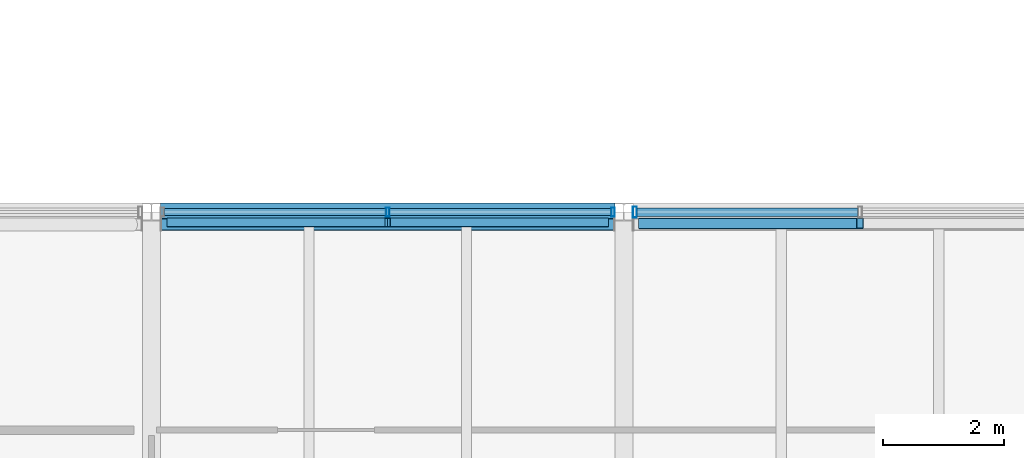
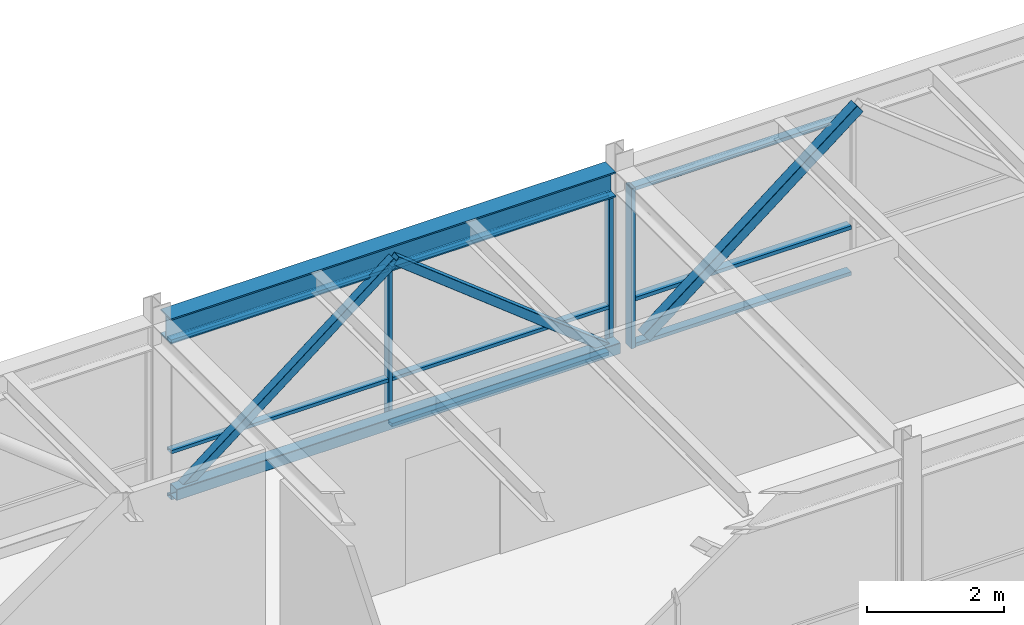
# One storey, part 18 of 49: 16 members, 1 beam, 2 elements without a shape of their own.
"""IFC4 building model written with IfcOpenShell, lengths in metres."""

import ifcopenshell
import ifcopenshell.guid

model = None  # the IFC model being written
_history = None  # IfcOwnerHistory: only IFC2X3 demands one
_inside = {}  # id of a spatial element -> (the spatial element, [elements in it])
_under = {}  # id of a project, library or spatial element -> (it, [spatial elements below it])
_declared = {}  # id of a project -> (the project, [libraries it declares])
_typed = {}  # id of a type object -> (the type object, [elements of that type])
_made_of = {}  # id of a material, layer set ... -> (it, [elements and type objects made of it])


def new_model(schema):
    """Start an empty IFC model of exactly this schema.

    Asked for "IFC4X3", IfcOpenShell would pick the latest addendum, in which some entities
    have other attributes; the version numbers below select the first issue.
    IFC2X3 requires an IfcOwnerHistory on every rooted entity: one is made here for all.
    """
    global model, _history
    if schema == "IFC4X3":
        model = ifcopenshell.file(schema_version=(4, 3, 0, 0))
    else:
        model = ifcopenshell.file(schema=schema)
    _inside.clear()
    _under.clear()
    _declared.clear()
    _typed.clear()
    _made_of.clear()
    _history = None
    if model.schema == "IFC2X3":
        org = make("IfcOrganization", Name="unknown")
        user = make(
            "IfcPersonAndOrganization",
            ThePerson=make("IfcPerson", FamilyName="unknown"),
            TheOrganization=org,
        )
        app = make(
            "IfcApplication",
            ApplicationDeveloper=org,
            Version="unknown",
            ApplicationFullName="unknown",
            ApplicationIdentifier="unknown",
        )
        _history = make(
            "IfcOwnerHistory",
            OwningUser=user,
            OwningApplication=app,
            ChangeAction="ADDED",
            CreationDate=0,
        )
    return model


def make(cls, **values):
    """One entity of the class cls with the attributes given. An attribute that is None is left unset."""
    return model.create_entity(
        cls, **{name: value for name, value in values.items() if value is not None}
    )


def rooted(cls, **values):
    """An entity with a GlobalId (a new one), such as an element, a storey or a relation."""
    return make(cls, GlobalId=ifcopenshell.guid.new(), OwnerHistory=_history, **values)


def si_unit(unit_type, name, prefix=None):
    """IfcSIUnit, for example si_unit("LENGTHUNIT", "METRE", prefix="MILLI")."""
    return make("IfcSIUnit", UnitType=unit_type, Prefix=prefix, Name=name)


def assignment(units):
    """IfcUnitAssignment: the units of a project."""
    return None if units is None else make("IfcUnitAssignment", Units=units)


def point(xyz):
    """IfcCartesianPoint."""
    return None if xyz is None else make("IfcCartesianPoint", Coordinates=xyz)


def direction(xyz):
    """IfcDirection."""
    return None if xyz is None else make("IfcDirection", DirectionRatios=xyz)


def frame(location, z_axis=None, x_axis=None):
    """IfcAxis2Placement3D, a coordinate frame: its origin and axes. An axis left out is left unset."""
    return make(
        "IfcAxis2Placement3D",
        Location=point(location),
        Axis=direction(z_axis),
        RefDirection=direction(x_axis),
    )


def frame_2d(location, x_axis=None):
    """IfcAxis2Placement2D, a coordinate frame in the plane: its origin and x axis."""
    return make(
        "IfcAxis2Placement2D", Location=point(location), RefDirection=direction(x_axis)
    )


def origin():
    """The frame at (0, 0, 0) with its axes left unset."""
    return frame((0.0, 0.0, 0.0))


def origin_2d():
    """The frame at (0, 0) in the plane with its x axis left unset."""
    return frame_2d((0.0, 0.0))


def place(relative_to, where):
    """IfcLocalPlacement: puts the frame where relative to a parent placement (None: the world)."""
    return make(
        "IfcLocalPlacement", PlacementRelTo=relative_to, RelativePlacement=where
    )


def context(
    kind, dimensions, precision=None, world=None, true_north=None, identifier=None
):
    """IfcGeometricRepresentationContext, for example the 3D "Model" context."""
    return make(
        "IfcGeometricRepresentationContext",
        ContextIdentifier=identifier,
        ContextType=kind,
        CoordinateSpaceDimension=dimensions,
        Precision=precision,
        WorldCoordinateSystem=world,
        TrueNorth=true_north,
    )


def subcontext(parent, identifier, kind, view, scale=None):
    """IfcGeometricRepresentationSubContext, for example "Body" below "Model"."""
    return make(
        "IfcGeometricRepresentationSubContext",
        ContextIdentifier=identifier,
        ContextType=kind,
        ParentContext=parent,
        TargetScale=scale,
        TargetView=view,
    )


def project(units=None, contexts=None):
    """IfcProject with its units and contexts."""
    return rooted(
        "IfcProject",
        Name="project",
        RepresentationContexts=contexts,
        UnitsInContext=assignment(units),
    )


def spatial(cls, under=None, at=None, **own):
    """A site, building, storey or space (cls), placed at a placement, below another one or the project."""
    s = rooted(cls, ObjectPlacement=at, **own)
    if under is not None:
        _under.setdefault(under.id(), (under, []))[1].append(s)
    return s


def profile(cls, at=None, kind="AREA", **sizes):
    """A parametric profile (cls). Its sizes go by their IFC names, for example OverallWidth=200.0."""
    return make(cls, ProfileType=kind, Position=at, **sizes)


def hollow_rectangle(**sizes):
    """IfcRectangleHollowProfileDef."""
    return profile("IfcRectangleHollowProfileDef", **sizes)


def i_section(**sizes):
    """IfcIShapeProfileDef."""
    return profile("IfcIShapeProfileDef", **sizes)


def extrude(swept, where, along, depth):
    """IfcExtrudedAreaSolid: the profile swept, set in the frame where, extruded along a direction by depth."""
    return make(
        "IfcExtrudedAreaSolid",
        SweptArea=swept,
        Position=where,
        ExtrudedDirection=direction(along),
        Depth=depth,
    )


def shape(context_of_items, identifier, shape_type, items):
    """IfcShapeRepresentation: the items that make up one representation, for example the "Body"."""
    return make(
        "IfcShapeRepresentation",
        ContextOfItems=context_of_items,
        RepresentationIdentifier=identifier,
        RepresentationType=shape_type,
        Items=items,
    )


def material(Name=None, Category=None):
    """IfcMaterial."""
    return make("IfcMaterial", Name=Name, Category=Category)


def material_profile(
    of_material, cross_section, Name=None, Category=None, Priority=None
):
    """IfcMaterialProfile: a cross section and its material."""
    return make(
        "IfcMaterialProfile",
        Name=Name,
        Material=of_material,
        Profile=cross_section,
        Priority=Priority,
        Category=Category,
    )


def profile_set(profiles, Name=None, composite=None):
    """IfcMaterialProfileSet."""
    return make(
        "IfcMaterialProfileSet",
        Name=Name,
        MaterialProfiles=profiles,
        CompositeProfile=composite,
    )


def made_of(thing, what):
    """Note that an element or type object is made of a material, layer set ...; save() writes the relation."""
    if what is not None:
        _made_of.setdefault(what.id(), (what, []))[1].append(thing)
    return thing


def type_object(cls, material=None, **own):
    """A type object (cls), such as IfcWallType, which elements share."""
    return made_of(rooted(cls, **own), material)


def element(
    cls,
    number,
    at=None,
    inside=None,
    cuts=None,
    type_object=None,
    material=None,
    context=None,
    identifier="Body",
    shape_type=None,
    held_by="IfcProductDefinitionShape",
    body=None,
    shapes=None,
    **own,
):
    """One element of the class cls, such as IfcWall. Its Tag is "e" and its number.

    at: its placement. inside: the storey or other place that contains it. cuts: it is an
    opening in that element (IfcRelVoidsElement). A single representation is given by context,
    identifier, shape_type and body (its items); several are given by shapes. held_by: the class
    of the entity that holds the representations. save() writes the other relations.
    """
    e = rooted(cls, Tag="e%d" % number, ObjectPlacement=at, **own)
    if body is not None:
        shapes = [shape(context, identifier, shape_type, body)]
    if shapes is not None:
        e.Representation = make(held_by, Representations=shapes)
    if inside is not None:
        _inside.setdefault(inside.id(), (inside, []))[1].append(e)
    if cuts is not None:
        rooted(
            "IfcRelVoidsElement", RelatingBuildingElement=cuts, RelatedOpeningElement=e
        )
    if type_object is not None:
        _typed.setdefault(type_object.id(), (type_object, []))[1].append(e)
    return made_of(e, material)


def aggregate(whole, parts):
    """IfcRelAggregates: a whole, such as a stair, and the parts it consists of."""
    return rooted("IfcRelAggregates", RelatingObject=whole, RelatedObjects=parts)


def save(model, path):
    """Write the relations noted so far, then the file.

    IfcRelAggregates (storeys below a building ...), IfcRelContainedInSpatialStructure (elements
    in a storey), IfcRelDefinesByType, IfcRelAssociatesMaterial and IfcRelDeclares: one each for
    every whole, place, type object, material and project.
    """
    for whole, parts in _under.values():
        aggregate(whole, parts)
    for where, things in _inside.values():
        rooted(
            "IfcRelContainedInSpatialStructure",
            RelatedElements=things,
            RelatingStructure=where,
        )
    for kind, things in _typed.values():
        rooted("IfcRelDefinesByType", RelatedObjects=things, RelatingType=kind)
    for what, things in _made_of.values():
        rooted("IfcRelAssociatesMaterial", RelatedObjects=things, RelatingMaterial=what)
    for by, libraries in _declared.values():
        rooted("IfcRelDeclares", RelatingContext=by, RelatedDefinitions=libraries)
    model.write(path)


model = new_model("IFC4")

# Units and contexts
model_context = context("Model", 3, precision=1e-05, world=origin(), true_north=direction((0.0, 1.0)))
body_context = subcontext(model_context, "Body", "Model", "MODEL_VIEW")
ifc_project = project(units=[si_unit("LENGTHUNIT", "METRE"), si_unit("AREAUNIT", "SQUARE_METRE"), si_unit("VOLUMEUNIT", "CUBIC_METRE"), si_unit("PLANEANGLEUNIT", "RADIAN"), si_unit("MASSUNIT", "GRAM", prefix="KILO"), si_unit("THERMODYNAMICTEMPERATUREUNIT", "KELVIN"), si_unit("POWERUNIT", "WATT")], contexts=[model_context])

# Site, building, storey
site_placement = place(None, origin())
site = spatial("IfcSite", under=ifc_project, at=site_placement, CompositionType="ELEMENT")
building_placement = place(site_placement, origin())
building = spatial("IfcBuilding", under=site, at=building_placement, Name="Srebrne Nadtorze General Hospital", CompositionType="ELEMENT")
storey_placement = place(building_placement, frame((0.0, 0.0, 26.10009765625)))
storey = spatial("IfcBuildingStorey", under=building, at=storey_placement, Name="L06", CompositionType="ELEMENT", Elevation=26.10009765625)

# Beam
ifc_material_1 = material(Name="Steel S355J2", Category="steel")
ifc_material_profile_1 = material_profile(ifc_material_1, i_section(OverallWidth=0.300048828125, OverallDepth=0.449951171875, WebThickness=0.013916015625, FlangeThickness=0.02587890625, FilletRadius=0.027099609375, at=origin_2d()), Name="HEB-450")
ifc_profile_set_1 = profile_set([ifc_material_profile_1], Name="Steel S355J2")
beam_type = type_object("IfcBeamType", Name="Courtyard bridge girder HEB 450", PredefinedType="BEAM", material=ifc_profile_set_1)
beam_placement = place(storey_placement, frame((70.35009765625, 58.800048828125, 3.074951171875), z_axis=(1.0, 0.0, 0.0), x_axis=(0.0, 1.0, 0.0)))
element("IfcBeam", 1, at=beam_placement, inside=storey, type_object=beam_type, Name="Beam BM-L06-X-1168", PredefinedType="BEAM", context=body_context, shape_type="SweptSolid", body=[
    extrude(i_section(OverallWidth=0.300048828125, OverallDepth=0.449951171875, WebThickness=0.013916015625, FlangeThickness=0.02587890625, FilletRadius=0.027099609375, at=origin_2d()), origin(), (0.0, 0.0, 1.0), 7.5),
])

# Curtain wall, members
ifc_material_2 = material(Name="Anodised Aluminium", Category="aluminium")
curtain_wall_type = type_object("IfcCurtainWallType", Name="Bridge curtain wall 7500x2850", PredefinedType="NOTDEFINED", material=ifc_material_2)
curtain_wall_1_placement = place(storey_placement, origin())
curtain_wall_1 = element("IfcCurtainWall", 2, at=curtain_wall_1_placement, inside=storey, type_object=curtain_wall_type, Name="Curtain wall CW-146", PredefinedType="NOTDEFINED")
ifc_material_3 = material(Name="Anodised Aluminium", Category="aluminium")
ifc_material_profile_2 = material_profile(ifc_material_3, hollow_rectangle(XDim=0.06005859375, YDim=0.14990234375, WallThickness=0.00390625, at=origin_2d()), Name="AL-MUL-60x150")
ifc_profile_set_2 = profile_set([ifc_material_profile_2], Name="Anodised Aluminium")
member_type_1 = type_object("IfcMemberType", Name="Curtain mullion 60x150", PredefinedType="MULLION", material=ifc_profile_set_2)
member_1_placement = place(storey_placement, frame((74.10009765625, 58.800048828125, 0.0), z_axis=(0.0, 0.0, 1.0), x_axis=(1.0, 0.0, 0.0)))
member_1 = element("IfcMember", 3, at=member_1_placement, type_object=member_type_1, Name="CW-146 mullion 2", PredefinedType="MULLION", context=body_context, shape_type="SweptSolid", body=[
    extrude(hollow_rectangle(XDim=0.06005859375, YDim=0.14990234375, WallThickness=0.00390625, at=origin_2d()), origin(), (0.0, 0.0, 1.0), 2.849853515625),
])
member_2_placement = place(storey_placement, frame((77.820068359375, 58.800048828125, 0.0), z_axis=(0.0, 0.0, 1.0), x_axis=(1.0, 0.0, 0.0)))
member_2 = element("IfcMember", 4, at=member_2_placement, type_object=member_type_1, Name="CW-146 mullion 3", PredefinedType="MULLION", context=body_context, shape_type="SweptSolid", body=[
    extrude(hollow_rectangle(XDim=0.06005859375, YDim=0.14990234375, WallThickness=0.00390625, at=origin_2d()), origin(), (0.0, 0.0, 1.0), 2.849853515625),
])

# Curtain wall, member
curtain_wall_2_placement = place(storey_placement, origin())
curtain_wall_2 = element("IfcCurtainWall", 5, at=curtain_wall_2_placement, inside=storey, type_object=curtain_wall_type, Name="Curtain wall CW-147", PredefinedType="NOTDEFINED")
ifc_material_4 = material(Name="Anodised Aluminium", Category="aluminium")
ifc_material_profile_3 = material_profile(ifc_material_4, hollow_rectangle(XDim=0.06494140625, YDim=0.179931640625, WallThickness=0.00390625, at=origin_2d()), Name="AL-MUL-65x180")
ifc_profile_set_3 = profile_set([ifc_material_profile_3], Name="Anodised Aluminium")
member_type_2 = type_object("IfcMemberType", Name="Curtain mullion 65x180", PredefinedType="MULLION", material=ifc_profile_set_3)
member_3_placement = place(storey_placement, frame((78.1826171875, 58.800048828125, 0.0), z_axis=(0.0, 0.0, 1.0), x_axis=(1.0, 0.0, 0.0)))
member_3 = element("IfcMember", 6, at=member_3_placement, type_object=member_type_2, Name="CW-147 mullion 1", PredefinedType="MULLION", context=body_context, shape_type="SweptSolid", body=[
    extrude(hollow_rectangle(XDim=0.06494140625, YDim=0.179931640625, WallThickness=0.00390625, at=origin_2d()), origin(), (0.0, 0.0, 1.0), 2.849853515625),
])

# Member
ifc_material_5 = material(Name="Anodised Aluminium", Category="aluminium")
ifc_material_profile_4 = material_profile(ifc_material_5, hollow_rectangle(XDim=0.06005859375, YDim=0.1201171875, WallThickness=0.00390625, at=origin_2d()), Name="AL-TRN-60x120")
ifc_profile_set_4 = profile_set([ifc_material_profile_4], Name="Anodised Aluminium")
member_type_3 = type_object("IfcMemberType", Name="Curtain transom 60x120", PredefinedType="USERDEFINED", material=ifc_profile_set_4)
member_4_placement = place(storey_placement, frame((70.409912109375, 58.800048828125, 0.02978515625), z_axis=(1.0, 0.0, 0.0), x_axis=(0.0, 0.0, 1.0)))
member_4 = element("IfcMember", 7, at=member_4_placement, type_object=member_type_3, Name="CW-146 transom 1.1", ObjectType="TRANSOM", PredefinedType="USERDEFINED", context=body_context, shape_type="SweptSolid", body=[
    extrude(hollow_rectangle(XDim=0.06005859375, YDim=0.1201171875, WallThickness=0.00390625, at=origin_2d()), origin(), (0.0, 0.0, 1.0), 3.66015625),
])

member_5_placement = place(storey_placement, frame((70.409912109375, 58.800048828125, 0.849853515625), z_axis=(1.0, 0.0, 0.0), x_axis=(0.0, 0.0, 1.0)))
member_5 = element("IfcMember", 8, at=member_5_placement, type_object=member_type_3, Name="CW-146 transom 1.2", ObjectType="TRANSOM", PredefinedType="USERDEFINED", context=body_context, shape_type="SweptSolid", body=[
    extrude(hollow_rectangle(XDim=0.06005859375, YDim=0.1201171875, WallThickness=0.00390625, at=origin_2d()), origin(), (0.0, 0.0, 1.0), 3.66015625),
])

member_6_placement = place(storey_placement, frame((70.409912109375, 58.800048828125, 2.81982421875), z_axis=(1.0, 0.0, 0.0), x_axis=(0.0, 0.0, 1.0)))
member_6 = element("IfcMember", 9, at=member_6_placement, type_object=member_type_3, Name="CW-146 transom 1.3", ObjectType="TRANSOM", PredefinedType="USERDEFINED", context=body_context, shape_type="SweptSolid", body=[
    extrude(hollow_rectangle(XDim=0.06005859375, YDim=0.1201171875, WallThickness=0.00390625, at=origin_2d()), origin(), (0.0, 0.0, 1.0), 3.66015625),
])

member_7_placement = place(storey_placement, frame((74.1298828125, 58.800048828125, 0.02978515625), z_axis=(1.0, 0.0, 0.0), x_axis=(0.0, 0.0, 1.0)))
member_7 = element("IfcMember", 10, at=member_7_placement, type_object=member_type_3, Name="CW-146 transom 2.1", ObjectType="TRANSOM", PredefinedType="USERDEFINED", context=body_context, shape_type="SweptSolid", body=[
    extrude(hollow_rectangle(XDim=0.06005859375, YDim=0.1201171875, WallThickness=0.00390625, at=origin_2d()), origin(), (0.0, 0.0, 1.0), 3.66015625),
])

member_8_placement = place(storey_placement, frame((74.1298828125, 58.800048828125, 0.849853515625), z_axis=(1.0, 0.0, 0.0), x_axis=(0.0, 0.0, 1.0)))
member_8 = element("IfcMember", 11, at=member_8_placement, type_object=member_type_3, Name="CW-146 transom 2.2", ObjectType="TRANSOM", PredefinedType="USERDEFINED", context=body_context, shape_type="SweptSolid", body=[
    extrude(hollow_rectangle(XDim=0.06005859375, YDim=0.1201171875, WallThickness=0.00390625, at=origin_2d()), origin(), (0.0, 0.0, 1.0), 3.66015625),
])

member_9_placement = place(storey_placement, frame((74.1298828125, 58.800048828125, 2.81982421875), z_axis=(1.0, 0.0, 0.0), x_axis=(0.0, 0.0, 1.0)))
member_9 = element("IfcMember", 12, at=member_9_placement, type_object=member_type_3, Name="CW-146 transom 2.3", ObjectType="TRANSOM", PredefinedType="USERDEFINED", context=body_context, shape_type="SweptSolid", body=[
    extrude(hollow_rectangle(XDim=0.06005859375, YDim=0.1201171875, WallThickness=0.00390625, at=origin_2d()), origin(), (0.0, 0.0, 1.0), 3.66015625),
])

aggregate(curtain_wall_1, [member_1, member_2, member_4, member_5, member_6, member_7, member_8, member_9])

ifc_material_6 = material(Name="Anodised Aluminium", Category="aluminium")
ifc_material_profile_5 = material_profile(ifc_material_6, hollow_rectangle(XDim=0.06494140625, YDim=0.139892578125, WallThickness=0.00390625, at=origin_2d()), Name="AL-TRN-65x140")
ifc_profile_set_5 = profile_set([ifc_material_profile_5], Name="Anodised Aluminium")
member_type_4 = type_object("IfcMemberType", Name="Curtain transom 65x140", PredefinedType="USERDEFINED", material=ifc_profile_set_5)
member_10_placement = place(storey_placement, frame((78.215087890625, 58.800048828125, 0.032470703125), z_axis=(1.0, 0.0, 0.0), x_axis=(0.0, 0.0, 1.0)))
member_10 = element("IfcMember", 13, at=member_10_placement, type_object=member_type_4, Name="CW-147 transom 1.1", ObjectType="TRANSOM", PredefinedType="USERDEFINED", context=body_context, shape_type="SweptSolid", body=[
    extrude(hollow_rectangle(XDim=0.06494140625, YDim=0.139892578125, WallThickness=0.00390625, at=origin_2d()), origin(), (0.0, 0.0, 1.0), 3.65234375),
])

member_11_placement = place(storey_placement, frame((78.215087890625, 58.800048828125, 0.849853515625), z_axis=(1.0, 0.0, 0.0), x_axis=(0.0, 0.0, 1.0)))
member_11 = element("IfcMember", 14, at=member_11_placement, type_object=member_type_4, Name="CW-147 transom 1.2", ObjectType="TRANSOM", PredefinedType="USERDEFINED", context=body_context, shape_type="SweptSolid", body=[
    extrude(hollow_rectangle(XDim=0.06494140625, YDim=0.139892578125, WallThickness=0.00390625, at=origin_2d()), origin(), (0.0, 0.0, 1.0), 3.65234375),
])

member_12_placement = place(storey_placement, frame((78.215087890625, 58.800048828125, 2.8173828125), z_axis=(1.0, 0.0, 0.0), x_axis=(0.0, 0.0, 1.0)))
member_12 = element("IfcMember", 15, at=member_12_placement, type_object=member_type_4, Name="CW-147 transom 1.3", ObjectType="TRANSOM", PredefinedType="USERDEFINED", context=body_context, shape_type="SweptSolid", body=[
    extrude(hollow_rectangle(XDim=0.06494140625, YDim=0.139892578125, WallThickness=0.00390625, at=origin_2d()), origin(), (0.0, 0.0, 1.0), 3.65234375),
])

aggregate(curtain_wall_2, [member_3, member_10, member_11, member_12])

# Members
ifc_material_7 = material(Name="Steel S355J2", Category="steel")
ifc_material_profile_6 = material_profile(ifc_material_7, hollow_rectangle(XDim=0.179931640625, YDim=0.179931640625, WallThickness=0.008056640625, InnerFilletRadius=0.008056640625, OuterFilletRadius=0.011962890625, at=origin_2d()), Name="SHS-180x180x8")
ifc_profile_set_6 = profile_set([ifc_material_profile_6], Name="Steel S355J2")
member_type_5 = type_object("IfcMemberType", Name="Diagonal brace SHS 180x180x8", PredefinedType="BRACE", material=ifc_profile_set_6)
member_13_placement = place(storey_placement, frame((78.300048828125, 58.614990234375, 0.25), z_axis=(0.786172155182, 0.0, 0.618007558543), x_axis=(0.0, 1.0, 0.0)))
element("IfcMember", 16, at=member_13_placement, inside=storey, type_object=member_type_5, Name="Clinical courtyard bridge brace 43", PredefinedType="BRACE", context=body_context, shape_type="SweptSolid", body=[
    extrude(hollow_rectangle(XDim=0.179931640625, YDim=0.179931640625, WallThickness=0.008056640625, InnerFilletRadius=0.008056640625, OuterFilletRadius=0.011962890625, at=origin_2d()), origin(), (0.0, 0.0, 1.0), 4.578857421875),
])
ifc_material_8 = material(Name="Steel S355J2", Category="steel")
ifc_material_profile_7 = material_profile(ifc_material_8, hollow_rectangle(XDim=0.199951171875, YDim=0.199951171875, WallThickness=0.010009765625, InnerFilletRadius=0.010009765625, OuterFilletRadius=0.014892578125, at=origin_2d()), Name="SHS-200x200x10")
ifc_profile_set_7 = profile_set([ifc_material_profile_7], Name="Steel S355J2")
member_type_6 = type_object("IfcMemberType", Name="Truss chord SHS 200x200x10", PredefinedType="CHORD", material=ifc_profile_set_7)
member_14_placement = place(storey_placement, frame((70.362060546875, 58.594970703125, 0.25), z_axis=(1.0, 0.0, 0.0), x_axis=(0.0, 1.0, 0.0)))
element("IfcMember", 17, at=member_14_placement, inside=storey, type_object=member_type_6, Name="Clinical courtyard bridge truss chord 21", PredefinedType="CHORD", context=body_context, shape_type="SweptSolid", body=[
    extrude(hollow_rectangle(XDim=0.199951171875, YDim=0.199951171875, WallThickness=0.010009765625, InnerFilletRadius=0.010009765625, OuterFilletRadius=0.014892578125, at=origin_2d()), origin(), (0.0, 0.0, 1.0), 7.475830078125),
])
ifc_material_9 = material(Name="Steel S355J2", Category="steel")
ifc_material_profile_8 = material_profile(ifc_material_9, hollow_rectangle(XDim=0.14990234375, YDim=0.14990234375, WallThickness=0.00634765625, InnerFilletRadius=0.006103515625, OuterFilletRadius=0.009033203125, at=origin_2d()), Name="SHS-150x150x6.3")
ifc_profile_set_8 = profile_set([ifc_material_profile_8], Name="Steel S355J2")
member_type_7 = type_object("IfcMemberType", Name="Wind brace SHS 150x150x6.3", PredefinedType="BRACE", material=ifc_profile_set_8)
member_15_placement = place(storey_placement, frame((70.5, 58.6298828125, 0.25), z_axis=(0.786192517778, 0.0, 0.61798165425), x_axis=(0.0, 1.0, 0.0)))
element("IfcMember", 18, at=member_15_placement, inside=storey, type_object=member_type_7, Name="Clinical courtyard bridge brace 41", PredefinedType="BRACE", context=body_context, shape_type="SweptSolid", body=[
    extrude(hollow_rectangle(XDim=0.14990234375, YDim=0.14990234375, WallThickness=0.00634765625, InnerFilletRadius=0.006103515625, OuterFilletRadius=0.009033203125, at=origin_2d()), origin(), (0.0, 0.0, 1.0), 4.5791015625),
])
member_16_placement = place(storey_placement, frame((77.699951171875, 58.6298828125, 0.25), z_axis=(-0.786172155182, 0.0, 0.618007558543), x_axis=(0.0, -1.0, 0.0)))
element("IfcMember", 19, at=member_16_placement, inside=storey, type_object=member_type_7, Name="Clinical courtyard bridge brace 42", PredefinedType="BRACE", context=body_context, shape_type="SweptSolid", body=[
    extrude(hollow_rectangle(XDim=0.14990234375, YDim=0.14990234375, WallThickness=0.00634765625, InnerFilletRadius=0.006103515625, OuterFilletRadius=0.009033203125, at=origin_2d()), origin(), (0.0, 0.0, 1.0), 4.578857421875),
])

save(model, "model.ifc")
